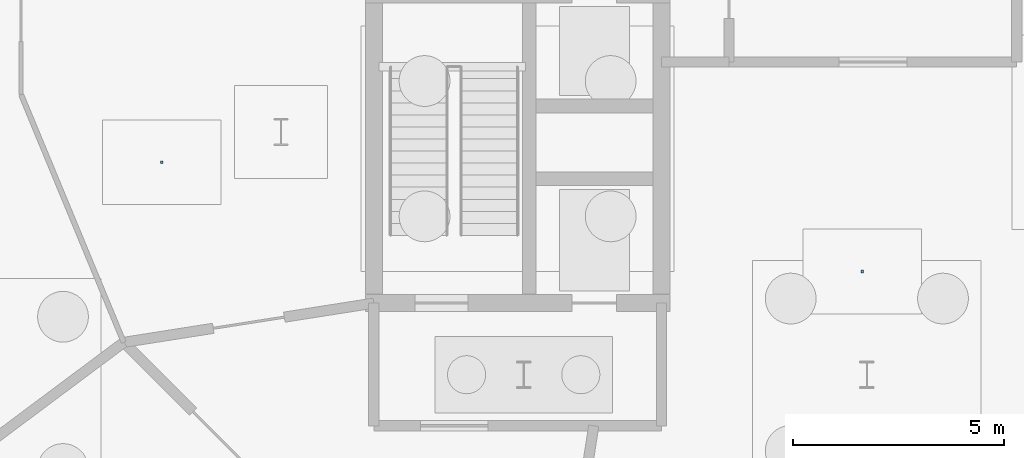
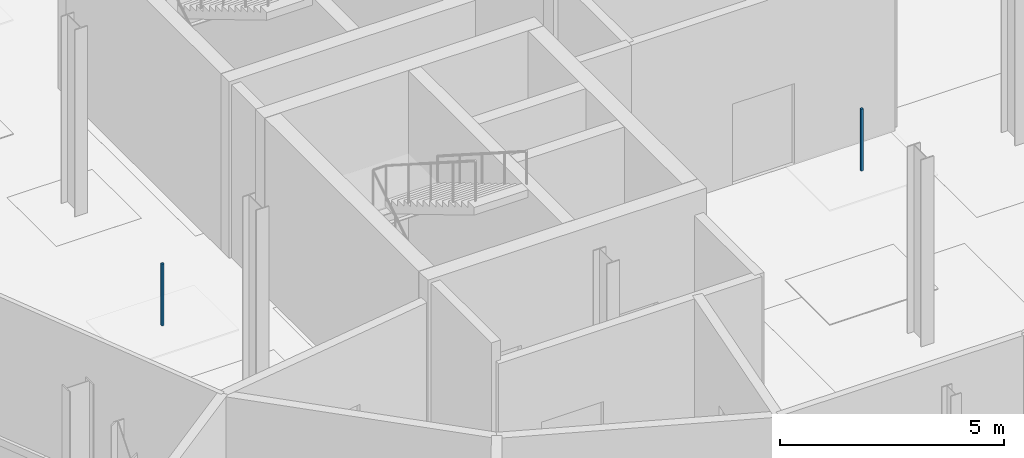
# One storey, part 94 of 119: 2 discrete accessories.
"""IFC4 building model written with IfcOpenShell, lengths in metres."""

from ifc_helpers import new_model, si_unit, derived_unit, direction, frame, origin, origin_2d, place, context, subcontext, project, spatial, rectangle, extrude, material, layer, layer_set, type_object, element, save


model = new_model("IFC4")

# Units and contexts
model_context = context("Model", 3, precision=1e-05, world=origin(), true_north=direction((0.0, 1.0)))
body_context = subcontext(model_context, "Body", "Model", "MODEL_VIEW")
ifc_project = project(units=[si_unit("LENGTHUNIT", "METRE"), si_unit("AREAUNIT", "SQUARE_METRE"), si_unit("VOLUMEUNIT", "CUBIC_METRE"), si_unit("PLANEANGLEUNIT", "RADIAN"), si_unit("MASSUNIT", "GRAM", prefix="KILO"), derived_unit("THERMALTRANSMITTANCEUNIT", [(si_unit("MASSUNIT", "GRAM", prefix="KILO"), 1), (si_unit("TIMEUNIT", "SECOND"), -3), (si_unit("THERMODYNAMICTEMPERATUREUNIT", "KELVIN"), -1)])], contexts=[model_context])

# Site, building, storey
site_placement = place(None, origin())
site = spatial("IfcSite", under=ifc_project, at=site_placement, CompositionType="ELEMENT")
building_placement = place(site_placement, origin())
building = spatial("IfcBuilding", under=site, at=building_placement, Name="Makaiwela Harbour Ferry Terminal", CompositionType="ELEMENT")
storey_placement = place(building_placement, origin())
storey = spatial("IfcBuildingStorey", under=building, at=storey_placement, Name="L00", CompositionType="ELEMENT", Elevation=0.0)

# Discrete accessories
ifc_material = material(Name="Marine grade 316L brushed stainless steel", Category="steel")
ifc_layer = layer(ifc_material, 1.0)
ifc_layer_set = layer_set([ifc_layer], Name="Marine grade 316L brushed stainless steel")
discrete_accessory_type = type_object("IfcDiscreteAccessoryType", Name="INT-ACC-HNG", PredefinedType="BRACKET", material=ifc_layer_set)
for number, where, z_axis, x_axis, name in (
    (1, (25.189208984375, 62.83349609375, 3.135009765625), (0.0, 0.0, 1.0), (1.0, 0.0, 0.0), "Ceiling Suspension Bracket HNG-005"),
    (2, (41.745361328125, 60.247314453125, 3.135009765625), (0.0, 0.0, 1.0), (1.0, 0.0, 0.0), "Ceiling Suspension Bracket HNG-006"),
):
    element("IfcDiscreteAccessory", number, at=place(storey_placement, frame(where, z_axis=z_axis, x_axis=x_axis)), inside=storey, type_object=discrete_accessory_type, Name=name, PredefinedType="BRACKET", context=body_context, shape_type="SweptSolid", body=[
        extrude(rectangle(XDim=0.06005859375, YDim=0.06005859375, at=origin_2d()), origin(), (0.0, 0.0, 1.0), 1.68994140625),
    ])

save(model, "model.ifc")
